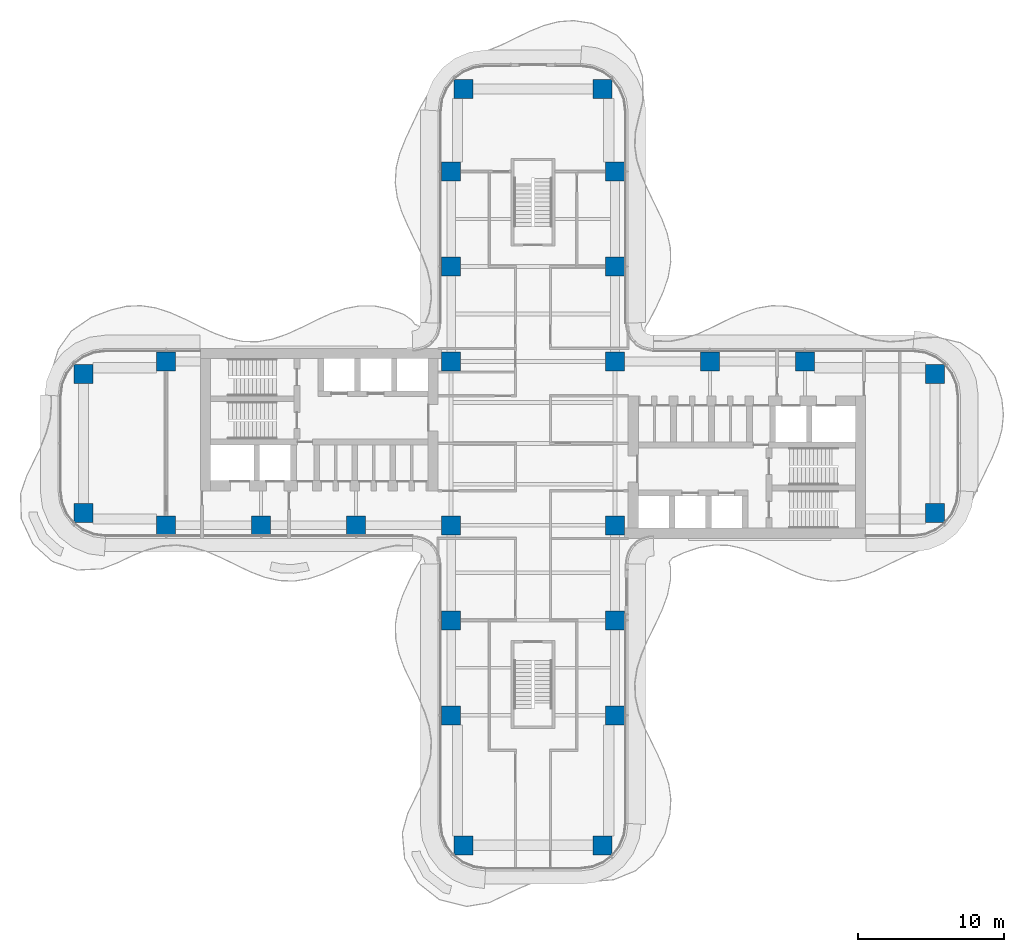
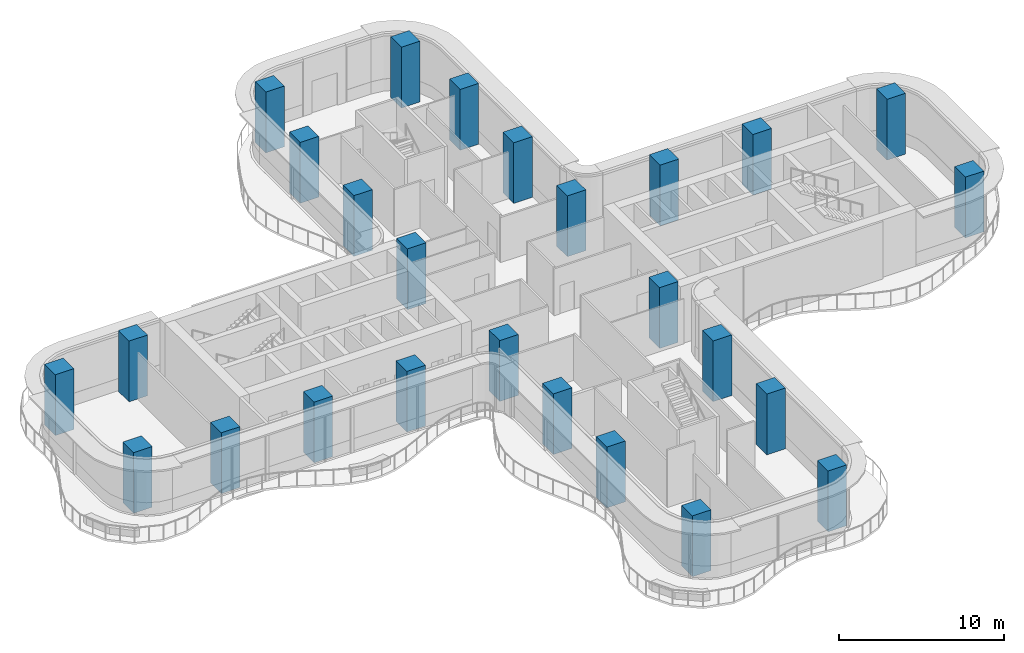
# One storey, part 1 of 23: 26 columns.
"""IFC4 building model written with IfcOpenShell, lengths in metres."""

from ifc_helpers import new_model, si_unit, direction, frame, origin, origin_2d, place, context, subcontext, project, spatial, rectangle, extrude, source, transform, mapped, material, material_profile, profile_set, type_object, element, save


model = new_model("IFC4")

# Units and contexts
model_context = context("Model", 3, precision=1e-05, world=origin(), true_north=direction((0.0, 1.0)))
body_context = subcontext(model_context, "Body", "Model", "MODEL_VIEW")
ifc_project = project(units=[si_unit("LENGTHUNIT", "METRE"), si_unit("AREAUNIT", "SQUARE_METRE"), si_unit("VOLUMEUNIT", "CUBIC_METRE"), si_unit("PLANEANGLEUNIT", "RADIAN"), si_unit("MASSUNIT", "GRAM", prefix="KILO")], contexts=[model_context])

# Site, building, storey
site_placement = place(None, origin())
site = spatial("IfcSite", under=ifc_project, at=site_placement, CompositionType="ELEMENT")
building_placement = place(site_placement, origin())
building = spatial("IfcBuilding", under=site, at=building_placement, Name="Trellis Farm Tower", CompositionType="ELEMENT")
storey_placement = place(building_placement, frame((0.0, 0.0, 111.0)))
storey = spatial("IfcBuildingStorey", under=building, at=storey_placement, Name="L23", CompositionType="ELEMENT", Elevation=111.0)

# Columns
ifc_material = material(Name="Concrete C80/95", Category="concrete")
ifc_material_profile = material_profile(ifc_material, rectangle(XDim=1.300048828125, YDim=1.300048828125, at=origin_2d()), Name="RC column 1300x1300 C80/95")
ifc_profile_set = profile_set([ifc_material_profile], Name="Concrete C80/95")
column_type = type_object("IfcColumnType", Name="RC column 1300x1300 C80/95", PredefinedType="COLUMN", material=ifc_profile_set)
shared_shape = source(origin(), body_context, "Body", "SweptSolid", [
    extrude(rectangle(XDim=1.300048828125, YDim=1.300048828125, at=origin_2d()), origin(), (0.0, 0.0, 1.0), 4.5),
])
for number, where, z_axis, x_axis, name in (
    (1, (12.10009765625, 5.60009765625, 0.0), (0.0, 0.0, 1.0), (1.0, 0.0, 0.0), "Column"),
    (2, (18.60009765625, 5.60009765625, 0.0), (0.0, 0.0, 1.0), (1.0, 0.0, 0.0), "Column"),
    (3, (27.5, 4.75, 0.0), (0.0, 0.0, 1.0), (1.0, 0.0, 0.0), "Column"),
    (4, (27.5, -4.75, 0.0), (0.0, 0.0, 1.0), (1.0, 0.0, 0.0), "Column"),
    (5, (-5.60009765625, 12.10009765625, 0.0), (0.0, 0.0, 1.0), (1.0, 0.0, 0.0), "Column"),
    (6, (-5.60009765625, 18.60009765625, 0.0), (0.0, 0.0, 1.0), (1.0, 0.0, 0.0), "Column"),
    (7, (-4.75, 24.25, 0.0), (0.0, 0.0, 1.0), (1.0, 0.0, 0.0), "Column"),
    (8, (5.60009765625, 12.10009765625, 0.0), (0.0, 0.0, 1.0), (1.0, 0.0, 0.0), "Column"),
    (9, (5.60009765625, 18.60009765625, 0.0), (0.0, 0.0, 1.0), (1.0, 0.0, 0.0), "Column"),
    (10, (4.75, 24.25, 0.0), (0.0, 0.0, 1.0), (1.0, 0.0, 0.0), "Column"),
    (11, (5.60009765625, 5.60009765625, 0.0), (0.0, 0.0, 1.0), (1.0, 0.0, 0.0), "Column"),
    (12, (-5.60009765625, 5.60009765625, 0.0), (0.0, 0.0, 1.0), (1.0, 0.0, 0.0), "Column"),
    (13, (5.60009765625, -5.60009765625, 0.0), (0.0, 0.0, 1.0), (1.0, 0.0, 0.0), "Column"),
    (14, (-5.60009765625, -5.60009765625, 0.0), (0.0, 0.0, 1.0), (1.0, 0.0, 0.0), "Column"),
    (15, (5.60009765625, -12.10009765625, 0.0), (0.0, 0.0, 1.0), (1.0, 0.0, 0.0), "Column"),
    (16, (5.60009765625, -18.60009765625, 0.0), (0.0, 0.0, 1.0), (1.0, 0.0, 0.0), "Column"),
    (17, (4.75, -27.5, 0.0), (0.0, 0.0, 1.0), (1.0, 0.0, 0.0), "Column"),
    (18, (-5.60009765625, -12.10009765625, 0.0), (0.0, 0.0, 1.0), (1.0, 0.0, 0.0), "Column"),
    (19, (-5.60009765625, -18.60009765625, 0.0), (0.0, 0.0, 1.0), (1.0, 0.0, 0.0), "Column"),
    (20, (-4.75, -27.5, 0.0), (0.0, 0.0, 1.0), (1.0, 0.0, 0.0), "Column"),
    (21, (-12.10009765625, -5.60009765625, 0.0), (0.0, 0.0, 1.0), (1.0, 0.0, 0.0), "Column"),
    (22, (-18.60009765625, -5.60009765625, 0.0), (0.0, 0.0, 1.0), (1.0, 0.0, 0.0), "Column"),
    (23, (-25.10009765625, -5.60009765625, 0.0), (0.0, 0.0, 1.0), (1.0, 0.0, 0.0), "Column"),
    (24, (-30.75, -4.75, 0.0), (0.0, 0.0, 1.0), (1.0, 0.0, 0.0), "Column"),
    (25, (-25.10009765625, 5.60009765625, 0.0), (0.0, 0.0, 1.0), (1.0, 0.0, 0.0), "Column"),
    (26, (-30.75, 4.75, 0.0), (0.0, 0.0, 1.0), (1.0, 0.0, 0.0), "Column"),
):
    element("IfcColumn", number, at=place(storey_placement, frame(where, z_axis=z_axis, x_axis=x_axis)), inside=storey, type_object=column_type, Name=name, PredefinedType="COLUMN", context=body_context, shape_type="MappedRepresentation", body=[
        mapped(shared_shape, transform((0.0, 0.0, 0.0))),
    ])

save(model, "model.ifc")
